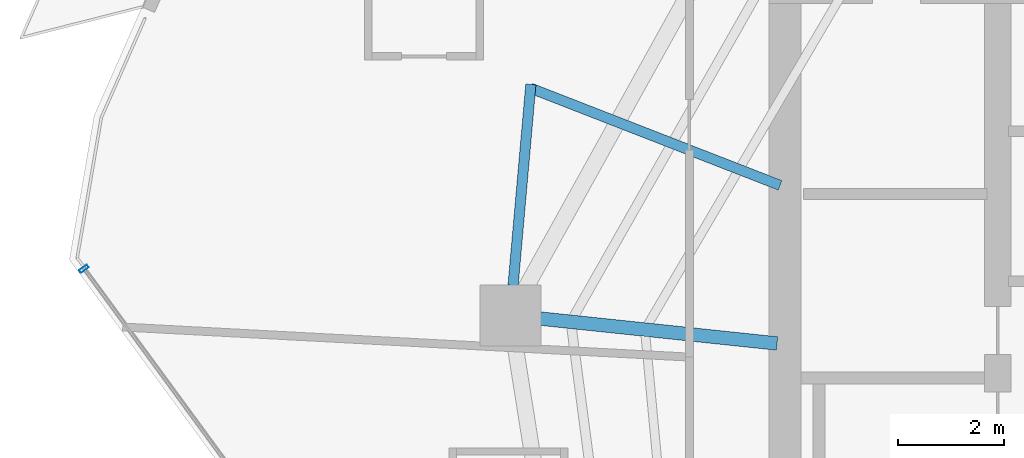
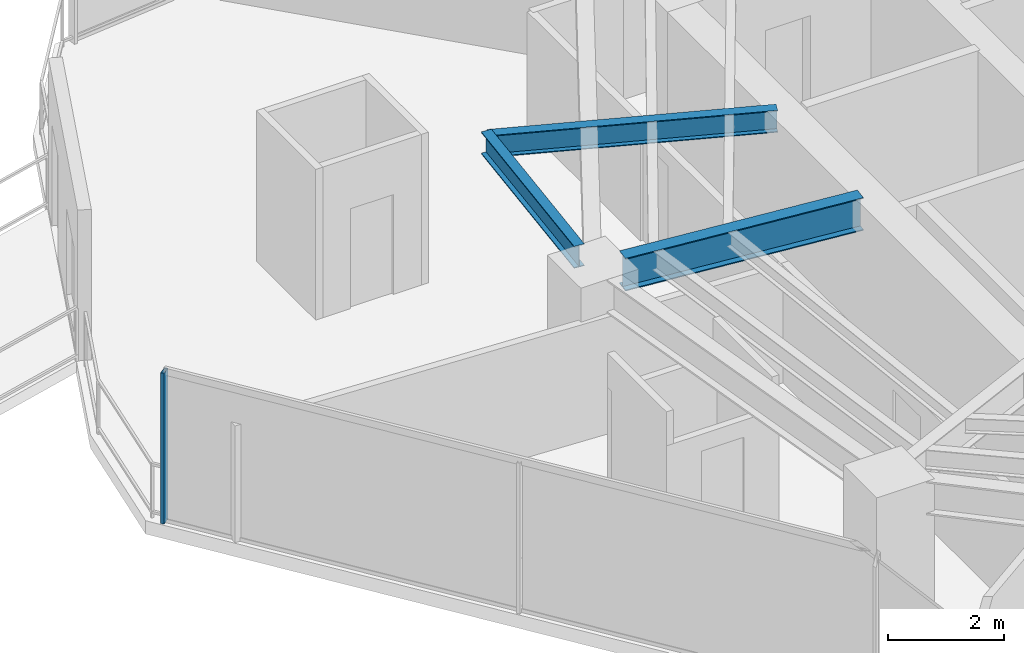
# One storey, part 8 of 30: 3 beams, 1 member, 1 element without a shape of its own.
"""IFC4 building model written with IfcOpenShell, lengths in metres."""

import ifcopenshell
import ifcopenshell.guid

model = None  # the IFC model being written
_history = None  # IfcOwnerHistory: only IFC2X3 demands one
_inside = {}  # id of a spatial element -> (the spatial element, [elements in it])
_under = {}  # id of a project, library or spatial element -> (it, [spatial elements below it])
_declared = {}  # id of a project -> (the project, [libraries it declares])
_typed = {}  # id of a type object -> (the type object, [elements of that type])
_made_of = {}  # id of a material, layer set ... -> (it, [elements and type objects made of it])


def new_model(schema):
    """Start an empty IFC model of exactly this schema.

    Asked for "IFC4X3", IfcOpenShell would pick the latest addendum, in which some entities
    have other attributes; the version numbers below select the first issue.
    IFC2X3 requires an IfcOwnerHistory on every rooted entity: one is made here for all.
    """
    global model, _history
    if schema == "IFC4X3":
        model = ifcopenshell.file(schema_version=(4, 3, 0, 0))
    else:
        model = ifcopenshell.file(schema=schema)
    _inside.clear()
    _under.clear()
    _declared.clear()
    _typed.clear()
    _made_of.clear()
    _history = None
    if model.schema == "IFC2X3":
        org = make("IfcOrganization", Name="unknown")
        user = make(
            "IfcPersonAndOrganization",
            ThePerson=make("IfcPerson", FamilyName="unknown"),
            TheOrganization=org,
        )
        app = make(
            "IfcApplication",
            ApplicationDeveloper=org,
            Version="unknown",
            ApplicationFullName="unknown",
            ApplicationIdentifier="unknown",
        )
        _history = make(
            "IfcOwnerHistory",
            OwningUser=user,
            OwningApplication=app,
            ChangeAction="ADDED",
            CreationDate=0,
        )
    return model


def make(cls, **values):
    """One entity of the class cls with the attributes given. An attribute that is None is left unset."""
    return model.create_entity(
        cls, **{name: value for name, value in values.items() if value is not None}
    )


def rooted(cls, **values):
    """An entity with a GlobalId (a new one), such as an element, a storey or a relation."""
    return make(cls, GlobalId=ifcopenshell.guid.new(), OwnerHistory=_history, **values)


def si_unit(unit_type, name, prefix=None):
    """IfcSIUnit, for example si_unit("LENGTHUNIT", "METRE", prefix="MILLI")."""
    return make("IfcSIUnit", UnitType=unit_type, Prefix=prefix, Name=name)


def assignment(units):
    """IfcUnitAssignment: the units of a project."""
    return None if units is None else make("IfcUnitAssignment", Units=units)


def point(xyz):
    """IfcCartesianPoint."""
    return None if xyz is None else make("IfcCartesianPoint", Coordinates=xyz)


def direction(xyz):
    """IfcDirection."""
    return None if xyz is None else make("IfcDirection", DirectionRatios=xyz)


def frame(location, z_axis=None, x_axis=None):
    """IfcAxis2Placement3D, a coordinate frame: its origin and axes. An axis left out is left unset."""
    return make(
        "IfcAxis2Placement3D",
        Location=point(location),
        Axis=direction(z_axis),
        RefDirection=direction(x_axis),
    )


def frame_2d(location, x_axis=None):
    """IfcAxis2Placement2D, a coordinate frame in the plane: its origin and x axis."""
    return make(
        "IfcAxis2Placement2D", Location=point(location), RefDirection=direction(x_axis)
    )


def origin():
    """The frame at (0, 0, 0) with its axes left unset."""
    return frame((0.0, 0.0, 0.0))


def origin_2d():
    """The frame at (0, 0) in the plane with its x axis left unset."""
    return frame_2d((0.0, 0.0))


def place(relative_to, where):
    """IfcLocalPlacement: puts the frame where relative to a parent placement (None: the world)."""
    return make(
        "IfcLocalPlacement", PlacementRelTo=relative_to, RelativePlacement=where
    )


def context(
    kind, dimensions, precision=None, world=None, true_north=None, identifier=None
):
    """IfcGeometricRepresentationContext, for example the 3D "Model" context."""
    return make(
        "IfcGeometricRepresentationContext",
        ContextIdentifier=identifier,
        ContextType=kind,
        CoordinateSpaceDimension=dimensions,
        Precision=precision,
        WorldCoordinateSystem=world,
        TrueNorth=true_north,
    )


def subcontext(parent, identifier, kind, view, scale=None):
    """IfcGeometricRepresentationSubContext, for example "Body" below "Model"."""
    return make(
        "IfcGeometricRepresentationSubContext",
        ContextIdentifier=identifier,
        ContextType=kind,
        ParentContext=parent,
        TargetScale=scale,
        TargetView=view,
    )


def project(units=None, contexts=None):
    """IfcProject with its units and contexts."""
    return rooted(
        "IfcProject",
        Name="project",
        RepresentationContexts=contexts,
        UnitsInContext=assignment(units),
    )


def spatial(cls, under=None, at=None, **own):
    """A site, building, storey or space (cls), placed at a placement, below another one or the project."""
    s = rooted(cls, ObjectPlacement=at, **own)
    if under is not None:
        _under.setdefault(under.id(), (under, []))[1].append(s)
    return s


def profile(cls, at=None, kind="AREA", **sizes):
    """A parametric profile (cls). Its sizes go by their IFC names, for example OverallWidth=200.0."""
    return make(cls, ProfileType=kind, Position=at, **sizes)


def hollow_rectangle(**sizes):
    """IfcRectangleHollowProfileDef."""
    return profile("IfcRectangleHollowProfileDef", **sizes)


def i_section(**sizes):
    """IfcIShapeProfileDef."""
    return profile("IfcIShapeProfileDef", **sizes)


def extrude(swept, where, along, depth):
    """IfcExtrudedAreaSolid: the profile swept, set in the frame where, extruded along a direction by depth."""
    return make(
        "IfcExtrudedAreaSolid",
        SweptArea=swept,
        Position=where,
        ExtrudedDirection=direction(along),
        Depth=depth,
    )


def shape(context_of_items, identifier, shape_type, items):
    """IfcShapeRepresentation: the items that make up one representation, for example the "Body"."""
    return make(
        "IfcShapeRepresentation",
        ContextOfItems=context_of_items,
        RepresentationIdentifier=identifier,
        RepresentationType=shape_type,
        Items=items,
    )


def material(Name=None, Category=None):
    """IfcMaterial."""
    return make("IfcMaterial", Name=Name, Category=Category)


def layer(
    of_material, thickness, ventilated=None, Name=None, Category=None, Priority=None
):
    """IfcMaterialLayer: one layer of a wall or slab, of a material (None: an air gap)."""
    return make(
        "IfcMaterialLayer",
        Material=of_material,
        LayerThickness=thickness,
        IsVentilated=ventilated,
        Name=Name,
        Category=Category,
        Priority=Priority,
    )


def layer_set(layers, Name=None):
    """IfcMaterialLayerSet."""
    return make("IfcMaterialLayerSet", MaterialLayers=layers, LayerSetName=Name)


def material_profile(
    of_material, cross_section, Name=None, Category=None, Priority=None
):
    """IfcMaterialProfile: a cross section and its material."""
    return make(
        "IfcMaterialProfile",
        Name=Name,
        Material=of_material,
        Profile=cross_section,
        Priority=Priority,
        Category=Category,
    )


def profile_set(profiles, Name=None, composite=None):
    """IfcMaterialProfileSet."""
    return make(
        "IfcMaterialProfileSet",
        Name=Name,
        MaterialProfiles=profiles,
        CompositeProfile=composite,
    )


def made_of(thing, what):
    """Note that an element or type object is made of a material, layer set ...; save() writes the relation."""
    if what is not None:
        _made_of.setdefault(what.id(), (what, []))[1].append(thing)
    return thing


def type_object(cls, material=None, **own):
    """A type object (cls), such as IfcWallType, which elements share."""
    return made_of(rooted(cls, **own), material)


def element(
    cls,
    number,
    at=None,
    inside=None,
    cuts=None,
    type_object=None,
    material=None,
    context=None,
    identifier="Body",
    shape_type=None,
    held_by="IfcProductDefinitionShape",
    body=None,
    shapes=None,
    **own,
):
    """One element of the class cls, such as IfcWall. Its Tag is "e" and its number.

    at: its placement. inside: the storey or other place that contains it. cuts: it is an
    opening in that element (IfcRelVoidsElement). A single representation is given by context,
    identifier, shape_type and body (its items); several are given by shapes. held_by: the class
    of the entity that holds the representations. save() writes the other relations.
    """
    e = rooted(cls, Tag="e%d" % number, ObjectPlacement=at, **own)
    if body is not None:
        shapes = [shape(context, identifier, shape_type, body)]
    if shapes is not None:
        e.Representation = make(held_by, Representations=shapes)
    if inside is not None:
        _inside.setdefault(inside.id(), (inside, []))[1].append(e)
    if cuts is not None:
        rooted(
            "IfcRelVoidsElement", RelatingBuildingElement=cuts, RelatedOpeningElement=e
        )
    if type_object is not None:
        _typed.setdefault(type_object.id(), (type_object, []))[1].append(e)
    return made_of(e, material)


def aggregate(whole, parts):
    """IfcRelAggregates: a whole, such as a stair, and the parts it consists of."""
    return rooted("IfcRelAggregates", RelatingObject=whole, RelatedObjects=parts)


def save(model, path):
    """Write the relations noted so far, then the file.

    IfcRelAggregates (storeys below a building ...), IfcRelContainedInSpatialStructure (elements
    in a storey), IfcRelDefinesByType, IfcRelAssociatesMaterial and IfcRelDeclares: one each for
    every whole, place, type object, material and project.
    """
    for whole, parts in _under.values():
        aggregate(whole, parts)
    for where, things in _inside.values():
        rooted(
            "IfcRelContainedInSpatialStructure",
            RelatedElements=things,
            RelatingStructure=where,
        )
    for kind, things in _typed.values():
        rooted("IfcRelDefinesByType", RelatedObjects=things, RelatingType=kind)
    for what, things in _made_of.values():
        rooted("IfcRelAssociatesMaterial", RelatedObjects=things, RelatingMaterial=what)
    for by, libraries in _declared.values():
        rooted("IfcRelDeclares", RelatingContext=by, RelatedDefinitions=libraries)
    model.write(path)


model = new_model("IFC4")

# Units and contexts
model_context = context("Model", 3, precision=1e-05, world=origin(), true_north=direction((0.0, 1.0)))
body_context = subcontext(model_context, "Body", "Model", "MODEL_VIEW")
ifc_project = project(units=[si_unit("LENGTHUNIT", "METRE"), si_unit("AREAUNIT", "SQUARE_METRE"), si_unit("VOLUMEUNIT", "CUBIC_METRE"), si_unit("PLANEANGLEUNIT", "RADIAN"), si_unit("MASSUNIT", "GRAM", prefix="KILO")], contexts=[model_context])

# Site, building, storey
site_placement = place(None, origin())
site = spatial("IfcSite", under=ifc_project, at=site_placement, CompositionType="ELEMENT")
building_placement = place(site_placement, origin())
building = spatial("IfcBuilding", under=site, at=building_placement, Name="Qarnah Convention Tower", CompositionType="ELEMENT")
storey_placement = place(building_placement, frame((0.0, 0.0, 90.14990234375)))
storey = spatial("IfcBuildingStorey", under=building, at=storey_placement, Name="L23", CompositionType="ELEMENT", Elevation=90.14990234375)

# Beams
ifc_material_1 = material(Name="Structural steel S355JR", Category="steel")
ifc_material_profile_1 = material_profile(ifc_material_1, i_section(OverallWidth=0.19189453125, OverallDepth=0.464111328125, WebThickness=0.010986328125, FlangeThickness=0.01806640625, at=origin_2d()), Name="W460X89")
ifc_profile_set_1 = profile_set([ifc_material_profile_1], Name="Structural steel S355JR")
beam_type_1 = type_object("IfcBeamType", Name="BM-CANT-W460A", PredefinedType="BEAM", material=ifc_profile_set_1)
beam_1_placement = place(storey_placement, frame((26.70703125, 30.48291015625, 2.93798828125), z_axis=(-0.93184170275, 0.362865045183, 0.0), x_axis=(-0.362865045183, -0.93184170275, 0.0)))
element("IfcBeam", 1, at=beam_1_placement, inside=storey, type_object=beam_type_1, Name="L23 beam BM-L23-CNT-02-1", PredefinedType="BEAM", context=body_context, shape_type="SweptSolid", body=[
    extrude(i_section(OverallWidth=0.19189453125, OverallDepth=0.464111328125, WebThickness=0.010986328125, FlangeThickness=0.01806640625, at=origin_2d()), origin(), (0.0, 0.0, 1.0), 5.035400390625),
])
beam_2_placement = place(storey_placement, frame((22.02099609375, 32.3798828125, 2.93798828125), z_axis=(-0.088250477094, -0.996098315074, 0.0), x_axis=(0.996098315074, -0.088250477094, 0.0)))
element("IfcBeam", 2, at=beam_2_placement, inside=storey, type_object=beam_type_1, Name="L23 spandrel BM-L23-CTIE-02", PredefinedType="SPANDREL", context=body_context, shape_type="SweptSolid", body=[
    extrude(i_section(OverallWidth=0.19189453125, OverallDepth=0.464111328125, WebThickness=0.010986328125, FlangeThickness=0.01806640625, at=origin_2d()), origin(), (0.0, 0.0, 1.0), 3.795654296875),
])
ifc_material_profile_2 = material_profile(ifc_material_1, i_section(OverallWidth=0.25390625, OverallDepth=0.68798828125, WebThickness=0.012939453125, FlangeThickness=0.02099609375, at=origin_2d()), Name="W690X152")
ifc_profile_set_2 = profile_set([ifc_material_profile_2], Name="Structural steel S355JR")
beam_type_2 = type_object("IfcBeamType", Name="BM-RAD-W690", PredefinedType="BEAM", material=ifc_profile_set_2)
beam_3_placement = place(storey_placement, frame((26.65087890625, 27.509033203125, 2.826171875), z_axis=(-0.994523622606, 0.104512028393, 0.0), x_axis=(-0.104512028393, -0.994523622606, 0.0)))
element("IfcBeam", 3, at=beam_3_placement, inside=storey, type_object=beam_type_2, Name="L23 beam BM-L23-RAD-05", PredefinedType="BEAM", context=body_context, shape_type="SweptSolid", body=[
    extrude(i_section(OverallWidth=0.25390625, OverallDepth=0.68798828125, WebThickness=0.012939453125, FlangeThickness=0.02099609375, at=origin_2d()), origin(), (0.0, 0.0, 1.0), 4.487548828125),
])

# Curtain wall, member
ifc_material_2 = material(Name="Tempered Low-E dark glass", Category="glass")
ifc_layer = layer(ifc_material_2, 0.169921875)
ifc_layer_set = layer_set([ifc_layer], Name="Tempered Low-E dark glass")
curtain_wall_type = type_object("IfcCurtainWallType", Name="CWS-02", PredefinedType="NOTDEFINED", material=ifc_layer_set)
curtain_wall_placement = place(storey_placement, origin())
curtain_wall = element("IfcCurtainWall", 4, at=curtain_wall_placement, inside=storey, type_object=curtain_wall_type, Name="L23 unitised curtain wall CW-L23-F3", PredefinedType="NOTDEFINED")
ifc_material_3 = material(Name="Black anodised aluminium", Category="aluminium")
ifc_material_profile_3 = material_profile(ifc_material_3, hollow_rectangle(XDim=0.06494140625, YDim=0.179931640625, WallThickness=0.00390625, at=origin_2d()), Name="MUL-65X180")
ifc_profile_set_3 = profile_set([ifc_material_profile_3], Name="Black anodised aluminium")
member_type = type_object("IfcMemberType", Name="MUL-T2", PredefinedType="MULLION", material=ifc_profile_set_3)
member_placement = place(storey_placement, frame((13.615966796875, 28.9140625, 0.0), z_axis=(0.0, 0.0, 1.0), x_axis=(-0.591160568734, 0.806553892789, 0.0)))
member = element("IfcMember", 5, at=member_placement, type_object=member_type, Name="CW-L23-F3 mullion 6", PredefinedType="MULLION", context=body_context, shape_type="SweptSolid", body=[
    extrude(hollow_rectangle(XDim=0.06494140625, YDim=0.179931640625, WallThickness=0.00390625, at=origin_2d()), origin(), (0.0, 0.0, 1.0), 3.170166015625),
])
aggregate(curtain_wall, [member])

save(model, "model.ifc")
